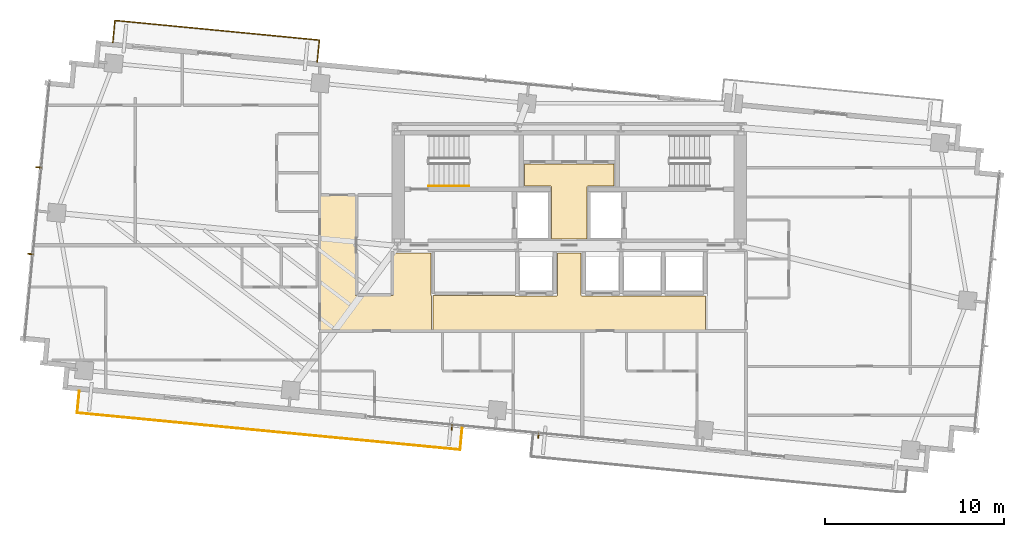
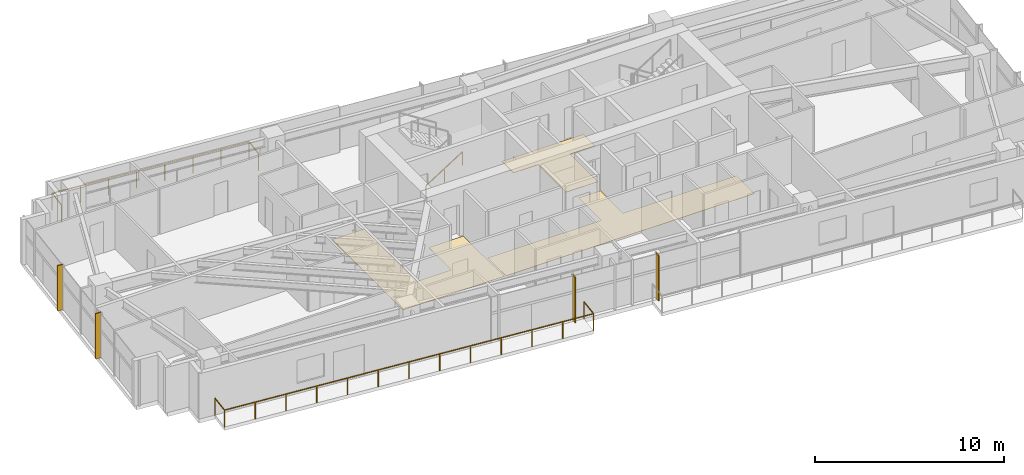
# One storey, part 19 of 20: 4 shading devices, 3 coverings, 3 railings.
"""IFC4 building model written with IfcOpenShell, lengths in metres."""

from ifc_helpers import new_model, si_unit, direction, frame, origin, origin_2d, place, context, subcontext, project, spatial, polyline, rectangle, outline, extrude, source, transform, mapped, material, layer, layer_set, type_object, type_shapes, element, save


model = new_model("IFC4")

# Units and contexts
model_context = context("Model", 3, precision=1e-05, world=origin(), true_north=direction((0.0, 1.0)))
body_context = subcontext(model_context, "Body", "Model", "MODEL_VIEW")
ifc_project = project(units=[si_unit("LENGTHUNIT", "METRE"), si_unit("AREAUNIT", "SQUARE_METRE"), si_unit("VOLUMEUNIT", "CUBIC_METRE"), si_unit("PLANEANGLEUNIT", "RADIAN"), si_unit("MASSUNIT", "GRAM", prefix="KILO")], contexts=[model_context])

# Site, building, storey
site_placement = place(None, origin())
site = spatial("IfcSite", under=ifc_project, at=site_placement, CompositionType="ELEMENT")
building_placement = place(site_placement, origin())
building = spatial("IfcBuilding", under=site, at=building_placement, Name="Astriad Promenade Condominiums", CompositionType="ELEMENT")
storey_placement = place(building_placement, frame((0.0, 0.0, 137.39990234375)))
storey = spatial("IfcBuildingStorey", under=building, at=storey_placement, Name="L39", CompositionType="ELEMENT", Elevation=137.39990234375)

# Coverings
ifc_material_1 = material(Name="Polished Lakefront Terrazzo Flooring")
ifc_layer = layer(ifc_material_1, 0.02001953125)
ifc_layer_set = layer_set([ifc_layer], Name="Polished Lakefront Terrazzo Flooring")
covering_type = type_object("IfcCoveringType", Name="COV-FLOR-TERRAZZO-20", PredefinedType="FLOORING", material=ifc_layer_set)
covering_1_placement = place(storey_placement, origin())
element("IfcCovering", 1, at=covering_1_placement, inside=storey, type_object=covering_type, Name="FLR-L39-CSL", PredefinedType="FLOORING", context=body_context, shape_type="SweptSolid", body=[
    extrude(outline(polyline([(36.97998046875, 20.699951171875), (36.97998046875, 17.7900390625), (35.02001953125, 17.7900390625), (35.02001953125, 20.699951171875), (35.019775390625, 20.703857421875), (35.019287109375, 20.707763671875), (35.018310546875, 20.711669921875), (35.01708984375, 20.71533203125), (35.015380859375, 20.718994140625), (35.01318359375, 20.72216796875), (35.010986328125, 20.725341796875), (35.00830078125, 20.728271484375), (35.00537109375, 20.73095703125), (35.002197265625, 20.7333984375), (34.998779296875, 20.7353515625), (34.995361328125, 20.737060546875), (34.99169921875, 20.73828125), (34.98779296875, 20.7392578125), (34.98388671875, 20.73974609375), (34.97998046875, 20.739990234375), (33.5, 20.739990234375), (33.5, 21.97998046875), (38.5, 21.97998046875), (38.5, 20.739990234375), (37.02001953125, 20.739990234375), (37.01611328125, 20.73974609375), (37.01220703125, 20.7392578125), (37.00830078125, 20.73828125), (37.004638671875, 20.737060546875), (37.001220703125, 20.7353515625), (36.997802734375, 20.7333984375), (36.99462890625, 20.73095703125), (36.99169921875, 20.728271484375), (36.989013671875, 20.725341796875), (36.98681640625, 20.72216796875), (36.984619140625, 20.718994140625), (36.98291015625, 20.71533203125), (36.981689453125, 20.711669921875), (36.980712890625, 20.707763671875), (36.980224609375, 20.703857421875), (36.97998046875, 20.699951171875)])), origin(), (0.0, 0.0, 1.0), 0.02001953125),
])
covering_2_placement = place(storey_placement, origin())
element("IfcCovering", 2, at=covering_2_placement, inside=storey, type_object=covering_type, Name="FLR-L39-LLB", PredefinedType="FLOORING", context=body_context, shape_type="SweptSolid", body=[
    extrude(outline(polyline([(32.9736328125, 14.6201171875), (32.974609375, 14.619140625), (32.977783203125, 14.61669921875), (32.981201171875, 14.61474609375), (32.984619140625, 14.613037109375), (32.98828125, 14.61181640625), (32.9921875, 14.61083984375), (32.99609375, 14.610107421875), (33.0, 14.610107421875), (35.300048828125, 14.610107421875), (35.303955078125, 14.610107421875), (35.307861328125, 14.61083984375), (35.3115234375, 14.61181640625), (35.315185546875, 14.613037109375), (35.31884765625, 14.61474609375), (35.322265625, 14.61669921875), (35.325439453125, 14.619140625), (35.328369140625, 14.62158203125), (35.330810546875, 14.62451171875), (35.333251953125, 14.627685546875), (35.335205078125, 14.631103515625), (35.3369140625, 14.634765625), (35.33837890625, 14.638427734375), (35.339111328125, 14.64208984375), (35.33984375, 14.64599609375), (35.340087890625, 14.64990234375), (35.340087890625, 17.010009765625), (36.659912109375, 17.010009765625), (36.659912109375, 14.64990234375), (36.66015625, 14.64599609375), (36.660888671875, 14.64208984375), (36.66162109375, 14.638427734375), (36.6630859375, 14.634765625), (36.664794921875, 14.631103515625), (36.666748046875, 14.627685546875), (36.669189453125, 14.62451171875), (36.671630859375, 14.62158203125), (36.674560546875, 14.619140625), (36.677734375, 14.61669921875), (36.68115234375, 14.61474609375), (36.684814453125, 14.613037109375), (36.6884765625, 14.61181640625), (36.692138671875, 14.61083984375), (36.696044921875, 14.610107421875), (36.699951171875, 14.610107421875), (43.610107421875, 14.610107421875), (43.610107421875, 12.68994140625), (28.389892578125, 12.68994140625), (28.389892578125, 14.6201171875), (32.9736328125, 14.6201171875)])), origin(), (0.0, 0.0, 1.0), 0.02001953125),
])
covering_3_placement = place(storey_placement, origin())
element("IfcCovering", 3, at=covering_3_placement, inside=storey, type_object=covering_type, Name="FLR-L39-COR-2", PredefinedType="FLOORING", context=body_context, shape_type="SweptSolid", body=[
    extrude(outline(polyline([(28.300048828125, 12.68994140625), (22.090087890625, 12.68994140625), (22.090087890625, 20.2099609375), (24.06005859375, 20.2099609375), (24.06005859375, 14.659912109375), (24.060302734375, 14.656005859375), (24.060791015625, 14.652099609375), (24.061767578125, 14.6484375), (24.06298828125, 14.644775390625), (24.064697265625, 14.64111328125), (24.066650390625, 14.6376953125), (24.069091796875, 14.634521484375), (24.07177734375, 14.631591796875), (24.07470703125, 14.629150390625), (24.077880859375, 14.626708984375), (24.0810546875, 14.624755859375), (24.084716796875, 14.623046875), (24.08837890625, 14.62158203125), (24.09228515625, 14.620849609375), (24.09619140625, 14.6201171875), (24.10009765625, 14.6201171875), (26.1201171875, 14.6201171875), (26.123779296875, 14.6201171875), (26.127685546875, 14.620849609375), (26.131591796875, 14.62158203125), (26.13525390625, 14.623046875), (26.138916015625, 14.624755859375), (26.14208984375, 14.626708984375), (26.1455078125, 14.629150390625), (26.148193359375, 14.631591796875), (26.15087890625, 14.634521484375), (26.1533203125, 14.6376953125), (26.1552734375, 14.64111328125), (26.156982421875, 14.644775390625), (26.158203125, 14.6484375), (26.1591796875, 14.652099609375), (26.159912109375, 14.656005859375), (26.159912109375, 14.659912109375), (26.159912109375, 17.010009765625), (28.280029296875, 17.010009765625), (28.280029296875, 14.659912109375), (28.2802734375, 14.656005859375), (28.28076171875, 14.652099609375), (28.28173828125, 14.6484375), (28.282958984375, 14.644775390625), (28.28466796875, 14.64111328125), (28.28662109375, 14.6376953125), (28.2890625, 14.634521484375), (28.291748046875, 14.631591796875), (28.294677734375, 14.629150390625), (28.2978515625, 14.626708984375), (28.300048828125, 14.62548828125), (28.300048828125, 12.68994140625)])), origin(), (0.0, 0.0, 1.0), 0.02001953125),
])

# Shading devices
ifc_material_2 = material(Name="Anodised aluminium 6063-T6 Black Fin", Category="aluminium")
shading_device_type = type_object("IfcShadingDeviceType", Name="FIN-BLACK-260", PredefinedType="USERDEFINED", material=ifc_material_2)
shared_shape_1 = source(origin(), body_context, "Body", "SweptSolid", [
    extrude(rectangle(XDim=0.06494140625, YDim=0.320068359375, at=origin_2d()), origin(), (0.0, 0.0, 1.0), 2.93994140625),
])
type_shapes(shading_device_type, [shared_shape_1])
for number, where, z_axis, x_axis, name in (
    (4, (5.880126953125, 16.947509765625, 0.000244140625), (0.0, 0.0, 1.0), (0.09584575252, 0.995396198367, 0.0), "CW-L39-W-FIN-01"),
    (5, (6.3466796875, 21.791748046875, 0.000244140625), (0.0, 0.0, 1.0), (0.09584575252, 0.995396198367, 0.0), "CW-L39-W-FIN-02"),
    (6, (34.278564453125, 6.80224609375, 0.000244140625), (0.0, 0.0, 1.0), (-0.995396198367, 0.09584575252, 0.0), "CW-L39-S-FIN-01"),
    (7, (29.44091796875, 7.26806640625, 0.000244140625), (0.0, 0.0, 1.0), (-0.995396198367, 0.09584575252, 0.0), "CW-L39-S-FIN-02"),
):
    element("IfcShadingDevice", number, at=place(storey_placement, frame(where, z_axis=z_axis, x_axis=x_axis)), inside=storey, type_object=shading_device_type, Name=name, ObjectType="FIN", PredefinedType="USERDEFINED", context=body_context, shape_type="MappedRepresentation", body=[
        mapped(shared_shape_1, transform((0.0, 0.0, 0.0), scale=1.0)),
    ])

# Railings
ifc_material_3 = material(Name="Laminated Glass and Stainless Steel Balustrade", Category="steel")
railing_type_1 = type_object("IfcRailingType", Name="GRD-BALC-1120", PredefinedType="BALUSTRADE", material=ifc_material_3)
shared_shape_2 = source(origin(), body_context, "Body", "SweptSolid", [
    extrude(rectangle(XDim=0.048095703125, YDim=0.048095703125, at=origin_2d()), frame((0.0, 0.0, 1.09619140625), z_axis=(-0.096055582315, -0.995375971734, 0.0), x_axis=(0.995375971734, -0.096055582315, 0.0)), (0.0, 0.0, 1.0), 1.219970703125),
    extrude(rectangle(XDim=0.048095703125, YDim=0.048095703125, at=origin_2d()), frame((-0.1171875, -1.21435546875, 1.09619140625), z_axis=(0.995395686541, -0.095851067889, 0.0), x_axis=(0.095851067889, 0.995395686541, 0.0)), (0.0, 0.0, 1.0), 21.505126953125),
    extrude(rectangle(XDim=0.048095703125, YDim=0.048095703125, at=origin_2d()), frame((21.288818359375, -3.275634765625, 1.09619140625), z_axis=(0.095857307208, 0.99539508571, 0.0), x_axis=(-0.99539508571, 0.095857307208, 0.0)), (0.0, 0.0, 1.0), 1.219970703125),
    extrude(rectangle(XDim=0.0419921875, YDim=0.0419921875, at=origin_2d()), origin(), (0.0, 0.0, 1.0), 1.072021484375),
    extrude(rectangle(XDim=0.0419921875, YDim=0.0419921875, at=origin_2d()), frame((-0.1171875, -1.21435546875, 0.0)), (0.0, 0.0, 1.0), 1.072021484375),
    extrude(rectangle(XDim=0.0419921875, YDim=0.0419921875, at=origin_2d()), frame((1.666748046875, -1.38623046875, 0.0)), (0.0, 0.0, 1.0), 1.072021484375),
    extrude(rectangle(XDim=0.0419921875, YDim=0.0419921875, at=origin_2d()), frame((3.450439453125, -1.557861328125, 0.0)), (0.0, 0.0, 1.0), 1.072021484375),
    extrude(rectangle(XDim=0.0419921875, YDim=0.0419921875, at=origin_2d()), frame((5.234375, -1.729736328125, 0.0)), (0.0, 0.0, 1.0), 1.072021484375),
    extrude(rectangle(XDim=0.0419921875, YDim=0.0419921875, at=origin_2d()), frame((7.01806640625, -1.9013671875, 0.0)), (0.0, 0.0, 1.0), 1.072021484375),
    extrude(rectangle(XDim=0.0419921875, YDim=0.0419921875, at=origin_2d()), frame((8.802001953125, -2.0732421875, 0.0)), (0.0, 0.0, 1.0), 1.072021484375),
    extrude(rectangle(XDim=0.0419921875, YDim=0.0419921875, at=origin_2d()), frame((10.5859375, -2.2451171875, 0.0)), (0.0, 0.0, 1.0), 1.072021484375),
    extrude(rectangle(XDim=0.0419921875, YDim=0.0419921875, at=origin_2d()), frame((12.36962890625, -2.416748046875, 0.0)), (0.0, 0.0, 1.0), 1.072021484375),
    extrude(rectangle(XDim=0.0419921875, YDim=0.0419921875, at=origin_2d()), frame((14.153564453125, -2.588623046875, 0.0)), (0.0, 0.0, 1.0), 1.072021484375),
    extrude(rectangle(XDim=0.0419921875, YDim=0.0419921875, at=origin_2d()), frame((15.937255859375, -2.76025390625, 0.0)), (0.0, 0.0, 1.0), 1.072021484375),
    extrude(rectangle(XDim=0.0419921875, YDim=0.0419921875, at=origin_2d()), frame((17.72119140625, -2.93212890625, 0.0)), (0.0, 0.0, 1.0), 1.072021484375),
    extrude(rectangle(XDim=0.0419921875, YDim=0.0419921875, at=origin_2d()), frame((19.5048828125, -3.103759765625, 0.0)), (0.0, 0.0, 1.0), 1.072021484375),
    extrude(rectangle(XDim=0.0419921875, YDim=0.0419921875, at=origin_2d()), frame((21.288818359375, -3.275634765625, 0.0)), (0.0, 0.0, 1.0), 1.072021484375),
    extrude(rectangle(XDim=0.0419921875, YDim=0.0419921875, at=origin_2d()), frame((21.40576171875, -2.061279296875, 0.0)), (0.0, 0.0, 1.0), 1.072021484375),
])
railing_1_placement = place(storey_placement, frame((8.607421875, 9.2841796875, 0.0)))
element("IfcRailing", 8, at=railing_1_placement, inside=storey, type_object=railing_type_1, Name="GRD-BALC-L39-SW", PredefinedType="BALUSTRADE", context=body_context, shape_type="MappedRepresentation", body=[
    mapped(shared_shape_2, transform((0.0, 0.0, 0.0), scale=1.0)),
])
shared_shape_3 = source(origin(), body_context, "Body", "SweptSolid", [
    extrude(rectangle(XDim=0.048095703125, YDim=0.048095703125, at=origin_2d()), frame((0.0, 0.0, 1.09619140625), z_axis=(0.095857307208, 0.99539508571, 0.0), x_axis=(-0.99539508571, 0.095857307208, 0.0)), (0.0, 0.0, 1.0), 1.219970703125),
    extrude(rectangle(XDim=0.048095703125, YDim=0.048095703125, at=origin_2d()), frame((0.116943359375, 1.21435546875, 1.09619140625), z_axis=(-0.995396787385, 0.095839635137, 0.0), x_axis=(-0.095839635137, -0.995396787385, 0.0)), (0.0, 0.0, 1.0), 11.48095703125),
    extrude(rectangle(XDim=0.048095703125, YDim=0.048095703125, at=origin_2d()), frame((-11.311279296875, 2.314697265625, 1.09619140625), z_axis=(-0.095857307208, -0.99539508571, 0.0), x_axis=(0.99539508571, -0.095857307208, 0.0)), (0.0, 0.0, 1.0), 1.219970703125),
    extrude(rectangle(XDim=0.0419921875, YDim=0.0419921875, at=origin_2d()), origin(), (0.0, 0.0, 1.0), 1.072021484375),
    extrude(rectangle(XDim=0.0419921875, YDim=0.0419921875, at=origin_2d()), frame((0.116943359375, 1.21435546875, 0.0)), (0.0, 0.0, 1.0), 1.072021484375),
    extrude(rectangle(XDim=0.0419921875, YDim=0.0419921875, at=origin_2d()), frame((-1.515625, 1.37158203125, 0.0)), (0.0, 0.0, 1.0), 1.072021484375),
    extrude(rectangle(XDim=0.0419921875, YDim=0.0419921875, at=origin_2d()), frame((-3.148193359375, 1.52880859375, 0.0)), (0.0, 0.0, 1.0), 1.072021484375),
    extrude(rectangle(XDim=0.0419921875, YDim=0.0419921875, at=origin_2d()), frame((-4.78076171875, 1.68603515625, 0.0)), (0.0, 0.0, 1.0), 1.072021484375),
    extrude(rectangle(XDim=0.0419921875, YDim=0.0419921875, at=origin_2d()), frame((-6.41357421875, 1.843017578125, 0.0)), (0.0, 0.0, 1.0), 1.072021484375),
    extrude(rectangle(XDim=0.0419921875, YDim=0.0419921875, at=origin_2d()), frame((-8.046142578125, 2.000244140625, 0.0)), (0.0, 0.0, 1.0), 1.072021484375),
    extrude(rectangle(XDim=0.0419921875, YDim=0.0419921875, at=origin_2d()), frame((-9.6787109375, 2.157470703125, 0.0)), (0.0, 0.0, 1.0), 1.072021484375),
    extrude(rectangle(XDim=0.0419921875, YDim=0.0419921875, at=origin_2d()), frame((-11.311279296875, 2.314697265625, 0.0)), (0.0, 0.0, 1.0), 1.072021484375),
    extrude(rectangle(XDim=0.0419921875, YDim=0.0419921875, at=origin_2d()), frame((-11.42822265625, 1.100341796875, 0.0)), (0.0, 0.0, 1.0), 1.072021484375),
])
type_shapes(railing_type_1, [shared_shape_2, shared_shape_3])
railing_2_placement = place(storey_placement, frame((21.9140625, 27.693603515625, 0.0)))
element("IfcRailing", 9, at=railing_2_placement, inside=storey, type_object=railing_type_1, Name="GRD-BALC-L39-NW", PredefinedType="BALUSTRADE", context=body_context, shape_type="MappedRepresentation", body=[
    mapped(shared_shape_3, transform((0.0, 0.0, 0.0), scale=1.0)),
])
ifc_material_4 = material(Name="Brushed Stainless Steel Handrail", Category="steel")
railing_type_2 = type_object("IfcRailingType", Name="HRL-STAIR-920", PredefinedType="HANDRAIL", material=ifc_material_4)
shared_shape_4 = source(origin(), body_context, "Body", "SweptSolid", [
    extrude(rectangle(XDim=0.048095703125, YDim=0.048095703125, at=origin_2d()), frame((0.0, 0.0, 0.8759765625), z_axis=(0.8442293374, 0.0, 0.53598211339), x_axis=(0.0, 1.0, 0.0)), (0.0, 0.0, 1.0), 2.6533203125),
    extrude(rectangle(XDim=0.0419921875, YDim=0.0419921875, at=origin_2d()), origin(), (0.0, 0.0, 1.0), 0.851806640625),
    extrude(rectangle(XDim=0.0419921875, YDim=0.0419921875, at=origin_2d()), frame((1.1201171875, 0.0, 0.7109375)), (0.0, 0.0, 1.0), 0.851806640625),
    extrude(rectangle(XDim=0.0419921875, YDim=0.0419921875, at=origin_2d()), frame((2.239990234375, 0.0, 1.422119140625)), (0.0, 0.0, 1.0), 0.851806640625),
])
type_shapes(railing_type_2, [shared_shape_4])
railing_3_placement = place(storey_placement, frame((28.14990234375, 20.75, 0.177978515625)))
element("IfcRailing", 10, at=railing_3_placement, inside=storey, type_object=railing_type_2, Name="L39 ST-1 stair handrail 1", PredefinedType="HANDRAIL", context=body_context, shape_type="MappedRepresentation", body=[
    mapped(shared_shape_4, transform((0.0, 0.0, 0.0), scale=1.0)),
])

save(model, "model.ifc")
